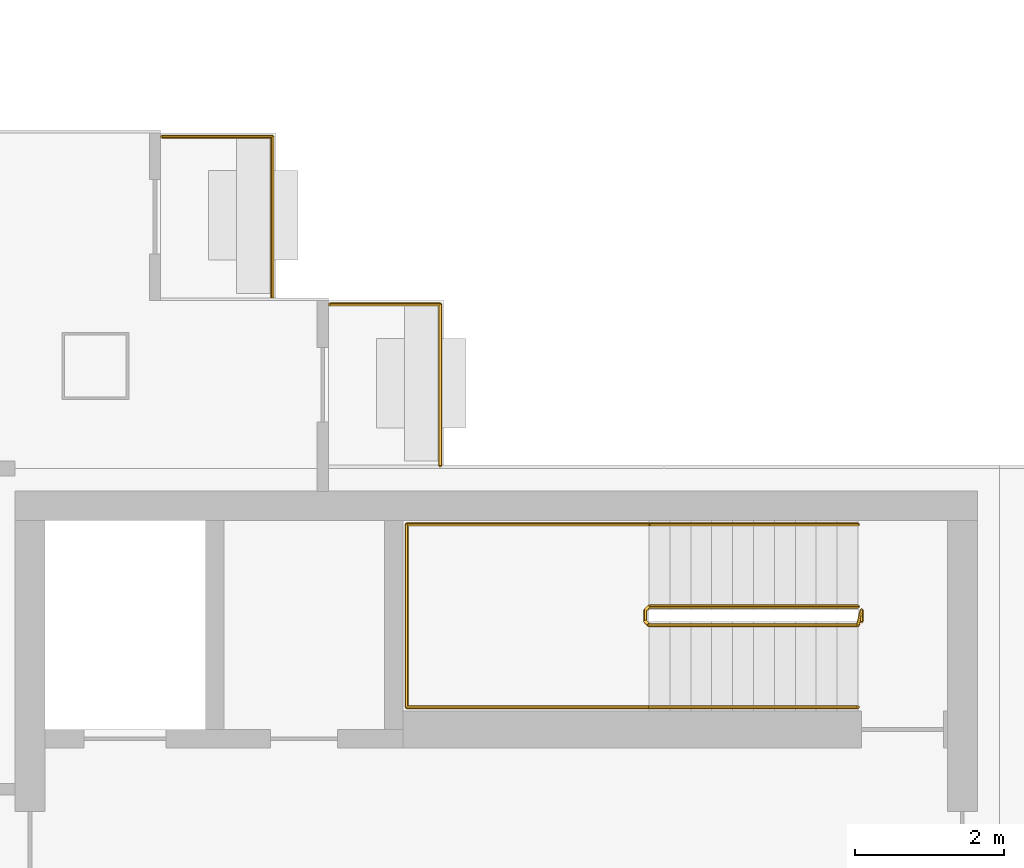
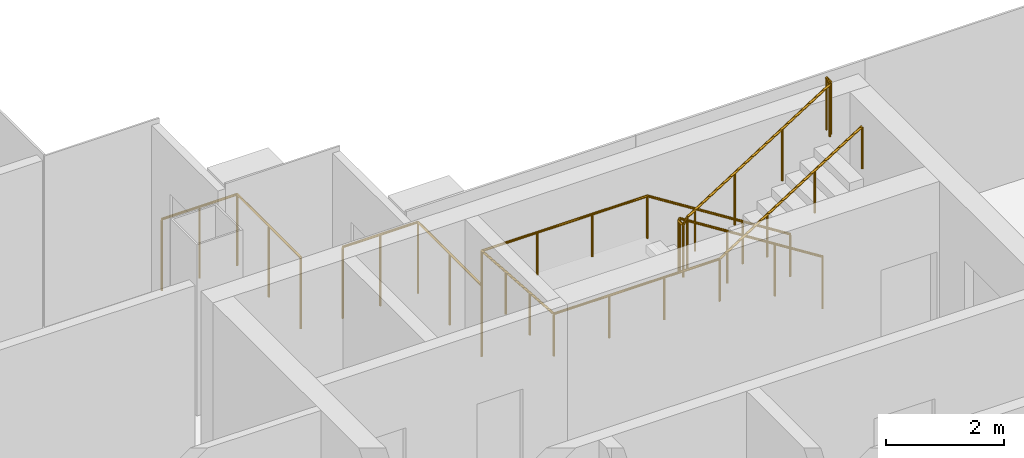
# One storey, part 16 of 17: 4 railings.
"""IFC4 building model written with IfcOpenShell, lengths in metres."""

from ifc_helpers import new_model, si_unit, direction, frame, origin, origin_2d, place, context, subcontext, project, spatial, circle, extrude, material, type_object, element, save


model = new_model("IFC4")

# Units and contexts
model_context = context("Model", 3, precision=1e-05, world=origin(), true_north=direction((0.0, 1.0)))
body_context = subcontext(model_context, "Body", "Model", "MODEL_VIEW")
ifc_project = project(units=[si_unit("LENGTHUNIT", "METRE"), si_unit("AREAUNIT", "SQUARE_METRE"), si_unit("VOLUMEUNIT", "CUBIC_METRE"), si_unit("PLANEANGLEUNIT", "RADIAN"), si_unit("MASSUNIT", "GRAM", prefix="KILO")], contexts=[model_context])

# Site, building, storey
site_placement = place(None, origin())
site = spatial("IfcSite", under=ifc_project, at=site_placement, CompositionType="ELEMENT")
building_placement = place(site_placement, origin())
building = spatial("IfcBuilding", under=site, at=building_placement, Name="Shamsa Quay Exchange Towers", CompositionType="ELEMENT")
storey_placement = place(building_placement, frame((0.0, 0.0, 238.199951171875)))
storey = spatial("IfcBuildingStorey", under=building, at=storey_placement, Name="L57", CompositionType="ELEMENT", Elevation=238.199951171875)

# Railings
ifc_material_1 = material(Name="Steel S355, black powder-coated", Category="steel")
railing_type_1 = type_object("IfcRailingType", Name="BALCONY GUARD 1500", PredefinedType="GUARDRAIL", material=ifc_material_1)
for number, where, name in (
    (1, (44.25, 9.0380859375, 0.0), "Balcony guard T2-PKES L57"),
    (2, (46.5, 6.7880859375, 0.0), "Balcony guard T2-PKES L57"),
):
    element("IfcRailing", number, at=place(storey_placement, frame(where)), inside=storey, type_object=railing_type_1, Name=name, PredefinedType="GUARDRAIL", context=body_context, shape_type="SweptSolid", body=[
        extrude(circle(Radius=0.02392578125, at=origin_2d()), frame((0.0, 0.0, 1.47607421875), z_axis=(0.0, 1.0, 0.0), x_axis=(-1.0, 0.0, 0.0)), (0.0, 0.0, 1.0), 2.161865234375),
        extrude(circle(Radius=0.02392578125, at=origin_2d()), frame((0.0, 2.161865234375, 1.47607421875), z_axis=(-1.0, 0.0, 0.0), x_axis=(0.0, -1.0, 0.0)), (0.0, 0.0, 1.0), 1.47900390625),
        extrude(circle(Radius=0.02099609375, at=origin_2d()), origin(), (0.0, 0.0, 1.0), 1.451904296875),
        extrude(circle(Radius=0.02099609375, at=origin_2d()), frame((0.0, 1.0810546875, 0.0)), (0.0, 0.0, 1.0), 1.451904296875),
        extrude(circle(Radius=0.02099609375, at=origin_2d()), frame((0.0, 2.161865234375, 0.0)), (0.0, 0.0, 1.0), 1.451904296875),
        extrude(circle(Radius=0.02099609375, at=origin_2d()), frame((-0.739501953125, 2.161865234375, 0.0)), (0.0, 0.0, 1.0), 1.451904296875),
        extrude(circle(Radius=0.02099609375, at=origin_2d()), frame((-1.47900390625, 2.161865234375, 0.0)), (0.0, 0.0, 1.0), 1.451904296875),
    ])
ifc_material_2 = material(Name="Stainless steel", Category="steel")
railing_type_2 = type_object("IfcRailingType", Name="STAIR GUARD 1100", PredefinedType="GUARDRAIL", material=ifc_material_2)
railing_1_placement = place(storey_placement, frame((52.10009765625, 4.89990234375, 0.17724609375)))
element("IfcRailing", 3, at=railing_1_placement, inside=storey, type_object=railing_type_2, Name="L57 ST6 stair guard 1", PredefinedType="GUARDRAIL", context=body_context, shape_type="SweptSolid", body=[
    extrude(circle(Radius=0.02392578125, at=origin_2d()), frame((0.0, 0.0, 1.076171875), z_axis=(-0.844908973607, 0.0, 0.534910110503), x_axis=(0.0, -1.0, 0.0)), (0.0, 0.0, 1.0), 3.31396484375),
    extrude(circle(Radius=0.02392578125, at=origin_2d()), frame((-2.800048828125, 0.0, 2.8486328125), z_axis=(-0.708833529934, -0.705375805398, 0.0), x_axis=(0.705375805398, -0.708833529934, 0.0)), (0.0, 0.0, 1.0), 0.070556640625),
    extrude(circle(Radius=0.02392578125, at=origin_2d()), frame((-2.85009765625, -0.0498046875, 2.8486328125), z_axis=(0.0, -1.0, 0.0), x_axis=(1.0, 0.0, 0.0)), (0.0, 0.0, 1.0), 0.150146484375),
    extrude(circle(Radius=0.02392578125, at=origin_2d()), frame((-2.85009765625, -0.199951171875, 2.8486328125), z_axis=(0.261922500866, -0.261922500866, 0.928866625022), x_axis=(0.707106781187, 0.707106781187, 0.0)), (0.0, 0.0, 1.0), 0.191162109375),
    extrude(circle(Radius=0.02392578125, at=origin_2d()), frame((-2.800048828125, -0.25, 3.0263671875), z_axis=(0.844908973607, 0.0, 0.534910110503), x_axis=(0.0, 1.0, 0.0)), (0.0, 0.0, 1.0), 3.31396484375),
    extrude(circle(Radius=0.02392578125, at=origin_2d()), frame((0.0, -0.25, 4.798828125), z_axis=(0.24142163986, 0.970420317083, 0.0), x_axis=(-0.970420317083, 0.24142163986, 0.0)), (0.0, 0.0, 1.0), 0.206298828125),
    extrude(circle(Radius=0.02392578125, at=origin_2d()), frame((0.0498046875, -0.0498046875, 4.798828125), z_axis=(0.0, -1.0, 0.0), x_axis=(1.0, 0.0, 0.0)), (0.0, 0.0, 1.0), 0.150146484375),
    extrude(circle(Radius=0.02099609375, at=origin_2d()), origin(), (0.0, 0.0, 1.0), 1.052001953125),
    extrude(circle(Radius=0.02099609375, at=origin_2d()), frame((-0.933349609375, 0.0, 0.5908203125)), (0.0, 0.0, 1.0), 1.052001953125),
    extrude(circle(Radius=0.02099609375, at=origin_2d()), frame((-1.86669921875, 0.0, 1.181884765625)), (0.0, 0.0, 1.0), 1.052001953125),
    extrude(circle(Radius=0.02099609375, at=origin_2d()), frame((-2.800048828125, 0.0, 1.772705078125)), (0.0, 0.0, 1.0), 1.052001953125),
    extrude(circle(Radius=0.02099609375, at=origin_2d()), frame((-2.85009765625, -0.0498046875, 1.772705078125)), (0.0, 0.0, 1.0), 1.052001953125),
    extrude(circle(Radius=0.02099609375, at=origin_2d()), frame((-2.85009765625, -0.199951171875, 1.772705078125)), (0.0, 0.0, 1.0), 1.052001953125),
    extrude(circle(Radius=0.02099609375, at=origin_2d()), frame((-2.800048828125, -0.25, 1.9501953125)), (0.0, 0.0, 1.0), 1.052001953125),
    extrude(circle(Radius=0.02099609375, at=origin_2d()), frame((-1.86669921875, -0.25, 2.541015625)), (0.0, 0.0, 1.0), 1.052001953125),
    extrude(circle(Radius=0.02099609375, at=origin_2d()), frame((-0.933349609375, -0.25, 3.132080078125)), (0.0, 0.0, 1.0), 1.052001953125),
    extrude(circle(Radius=0.02099609375, at=origin_2d()), frame((0.0, -0.25, 3.722900390625)), (0.0, 0.0, 1.0), 1.052001953125),
    extrude(circle(Radius=0.02099609375, at=origin_2d()), frame((0.0498046875, -0.0498046875, 3.722900390625)), (0.0, 0.0, 1.0), 1.052001953125),
    extrude(circle(Radius=0.02099609375, at=origin_2d()), frame((0.0498046875, -0.199951171875, 3.722900390625)), (0.0, 0.0, 1.0), 1.052001953125),
])
railing_type_3 = type_object("IfcRailingType", Name="STAIR HANDRAIL 900", PredefinedType="HANDRAIL", material=ifc_material_2)
railing_2_placement = place(storey_placement, frame((52.10009765625, 6.0, 0.17724609375)))
element("IfcRailing", 4, at=railing_2_placement, inside=storey, type_object=railing_type_3, Name="L57 ST6 stair handrail 1", PredefinedType="HANDRAIL", context=body_context, shape_type="SweptSolid", body=[
    extrude(circle(Radius=0.02392578125, at=origin_2d()), frame((0.0, 0.0, 0.8759765625), z_axis=(-0.844908973607, 0.0, 0.534910110503), x_axis=(0.0, -1.0, 0.0)), (0.0, 0.0, 1.0), 3.31396484375),
    extrude(circle(Radius=0.02392578125, at=origin_2d()), frame((-2.800048828125, 0.0, 2.6484375), z_axis=(-1.0, 0.0, 0.0), x_axis=(0.0, -1.0, 0.0)), (0.0, 0.0, 1.0), 3.25),
    extrude(circle(Radius=0.02392578125, at=origin_2d()), frame((-6.050048828125, 0.0, 2.6484375), z_axis=(0.0, -0.997386041853, 0.072257065513), x_axis=(1.0, 0.0, 0.0)), (0.0, 0.0, 1.0), 2.456298828125),
    extrude(circle(Radius=0.02392578125, at=origin_2d()), frame((-6.050048828125, -2.449951171875, 2.826171875), z_axis=(1.0, 0.0, 0.0), x_axis=(0.0, 1.0, 0.0)), (0.0, 0.0, 1.0), 3.25),
    extrude(circle(Radius=0.02392578125, at=origin_2d()), frame((-2.800048828125, -2.449951171875, 2.826171875), z_axis=(0.844908973607, 0.0, 0.534910110503), x_axis=(0.0, 1.0, 0.0)), (0.0, 0.0, 1.0), 3.31396484375),
    extrude(circle(Radius=0.02099609375, at=origin_2d()), origin(), (0.0, 0.0, 1.0), 0.851806640625),
    extrude(circle(Radius=0.02099609375, at=origin_2d()), frame((-0.933349609375, 0.0, 0.5908203125)), (0.0, 0.0, 1.0), 0.851806640625),
    extrude(circle(Radius=0.02099609375, at=origin_2d()), frame((-1.86669921875, 0.0, 1.181884765625)), (0.0, 0.0, 1.0), 0.851806640625),
    extrude(circle(Radius=0.02099609375, at=origin_2d()), frame((-2.800048828125, 0.0, 1.772705078125)), (0.0, 0.0, 1.0), 0.851806640625),
    extrude(circle(Radius=0.02099609375, at=origin_2d()), frame((-3.88330078125, 0.0, 1.772705078125)), (0.0, 0.0, 1.0), 0.851806640625),
    extrude(circle(Radius=0.02099609375, at=origin_2d()), frame((-4.966796875, 0.0, 1.772705078125)), (0.0, 0.0, 1.0), 0.851806640625),
    extrude(circle(Radius=0.02099609375, at=origin_2d()), frame((-6.050048828125, 0.0, 1.772705078125)), (0.0, 0.0, 1.0), 0.851806640625),
    extrude(circle(Radius=0.02099609375, at=origin_2d()), frame((-6.050048828125, -0.816650390625, 1.831787109375)), (0.0, 0.0, 1.0), 0.851806640625),
    extrude(circle(Radius=0.02099609375, at=origin_2d()), frame((-6.050048828125, -1.63330078125, 1.89111328125)), (0.0, 0.0, 1.0), 0.851806640625),
    extrude(circle(Radius=0.02099609375, at=origin_2d()), frame((-6.050048828125, -2.449951171875, 1.9501953125)), (0.0, 0.0, 1.0), 0.851806640625),
    extrude(circle(Radius=0.02099609375, at=origin_2d()), frame((-4.966796875, -2.449951171875, 1.9501953125)), (0.0, 0.0, 1.0), 0.851806640625),
    extrude(circle(Radius=0.02099609375, at=origin_2d()), frame((-3.88330078125, -2.449951171875, 1.9501953125)), (0.0, 0.0, 1.0), 0.851806640625),
    extrude(circle(Radius=0.02099609375, at=origin_2d()), frame((-2.800048828125, -2.449951171875, 1.9501953125)), (0.0, 0.0, 1.0), 0.851806640625),
    extrude(circle(Radius=0.02099609375, at=origin_2d()), frame((-1.86669921875, -2.449951171875, 2.541015625)), (0.0, 0.0, 1.0), 0.851806640625),
    extrude(circle(Radius=0.02099609375, at=origin_2d()), frame((-0.933349609375, -2.449951171875, 3.132080078125)), (0.0, 0.0, 1.0), 0.851806640625),
    extrude(circle(Radius=0.02099609375, at=origin_2d()), frame((0.0, -2.449951171875, 3.722900390625)), (0.0, 0.0, 1.0), 0.851806640625),
])

save(model, "model.ifc")
